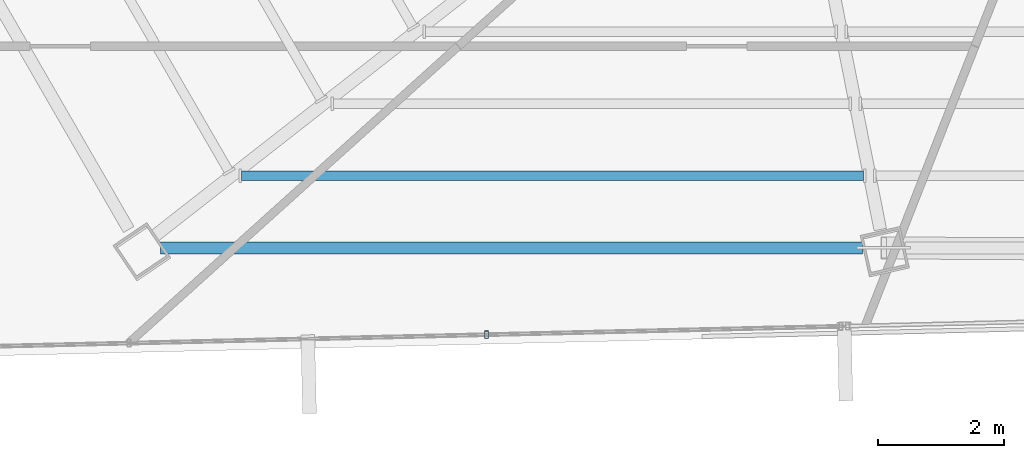
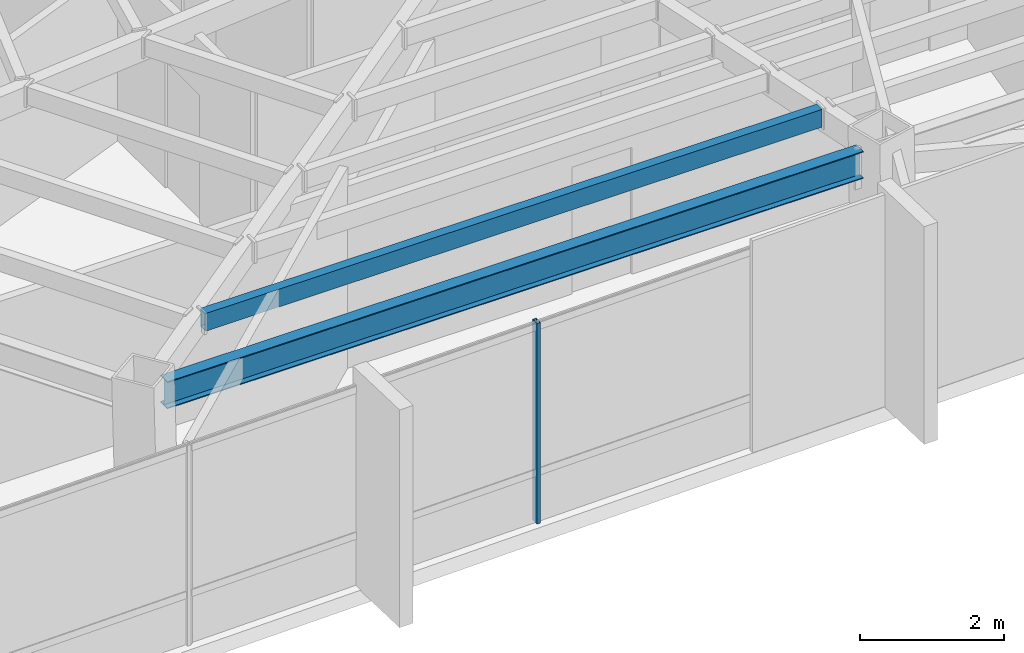
# One storey, part 5 of 47: 2 beams, 1 member, 1 element without a shape of its own.
"""IFC4 building model written with IfcOpenShell, lengths in metres."""

import ifcopenshell
import ifcopenshell.guid

model = None  # the IFC model being written
_history = None  # IfcOwnerHistory: only IFC2X3 demands one
_inside = {}  # id of a spatial element -> (the spatial element, [elements in it])
_under = {}  # id of a project, library or spatial element -> (it, [spatial elements below it])
_declared = {}  # id of a project -> (the project, [libraries it declares])
_typed = {}  # id of a type object -> (the type object, [elements of that type])
_made_of = {}  # id of a material, layer set ... -> (it, [elements and type objects made of it])


def new_model(schema):
    """Start an empty IFC model of exactly this schema.

    Asked for "IFC4X3", IfcOpenShell would pick the latest addendum, in which some entities
    have other attributes; the version numbers below select the first issue.
    IFC2X3 requires an IfcOwnerHistory on every rooted entity: one is made here for all.
    """
    global model, _history
    if schema == "IFC4X3":
        model = ifcopenshell.file(schema_version=(4, 3, 0, 0))
    else:
        model = ifcopenshell.file(schema=schema)
    _inside.clear()
    _under.clear()
    _declared.clear()
    _typed.clear()
    _made_of.clear()
    _history = None
    if model.schema == "IFC2X3":
        org = make("IfcOrganization", Name="unknown")
        user = make(
            "IfcPersonAndOrganization",
            ThePerson=make("IfcPerson", FamilyName="unknown"),
            TheOrganization=org,
        )
        app = make(
            "IfcApplication",
            ApplicationDeveloper=org,
            Version="unknown",
            ApplicationFullName="unknown",
            ApplicationIdentifier="unknown",
        )
        _history = make(
            "IfcOwnerHistory",
            OwningUser=user,
            OwningApplication=app,
            ChangeAction="ADDED",
            CreationDate=0,
        )
    return model


def make(cls, **values):
    """One entity of the class cls with the attributes given. An attribute that is None is left unset."""
    return model.create_entity(
        cls, **{name: value for name, value in values.items() if value is not None}
    )


def rooted(cls, **values):
    """An entity with a GlobalId (a new one), such as an element, a storey or a relation."""
    return make(cls, GlobalId=ifcopenshell.guid.new(), OwnerHistory=_history, **values)


def si_unit(unit_type, name, prefix=None):
    """IfcSIUnit, for example si_unit("LENGTHUNIT", "METRE", prefix="MILLI")."""
    return make("IfcSIUnit", UnitType=unit_type, Prefix=prefix, Name=name)


def assignment(units):
    """IfcUnitAssignment: the units of a project."""
    return None if units is None else make("IfcUnitAssignment", Units=units)


def point(xyz):
    """IfcCartesianPoint."""
    return None if xyz is None else make("IfcCartesianPoint", Coordinates=xyz)


def direction(xyz):
    """IfcDirection."""
    return None if xyz is None else make("IfcDirection", DirectionRatios=xyz)


def frame(location, z_axis=None, x_axis=None):
    """IfcAxis2Placement3D, a coordinate frame: its origin and axes. An axis left out is left unset."""
    return make(
        "IfcAxis2Placement3D",
        Location=point(location),
        Axis=direction(z_axis),
        RefDirection=direction(x_axis),
    )


def frame_2d(location, x_axis=None):
    """IfcAxis2Placement2D, a coordinate frame in the plane: its origin and x axis."""
    return make(
        "IfcAxis2Placement2D", Location=point(location), RefDirection=direction(x_axis)
    )


def origin():
    """The frame at (0, 0, 0) with its axes left unset."""
    return frame((0.0, 0.0, 0.0))


def origin_2d():
    """The frame at (0, 0) in the plane with its x axis left unset."""
    return frame_2d((0.0, 0.0))


def place(relative_to, where):
    """IfcLocalPlacement: puts the frame where relative to a parent placement (None: the world)."""
    return make(
        "IfcLocalPlacement", PlacementRelTo=relative_to, RelativePlacement=where
    )


def context(
    kind, dimensions, precision=None, world=None, true_north=None, identifier=None
):
    """IfcGeometricRepresentationContext, for example the 3D "Model" context."""
    return make(
        "IfcGeometricRepresentationContext",
        ContextIdentifier=identifier,
        ContextType=kind,
        CoordinateSpaceDimension=dimensions,
        Precision=precision,
        WorldCoordinateSystem=world,
        TrueNorth=true_north,
    )


def subcontext(parent, identifier, kind, view, scale=None):
    """IfcGeometricRepresentationSubContext, for example "Body" below "Model"."""
    return make(
        "IfcGeometricRepresentationSubContext",
        ContextIdentifier=identifier,
        ContextType=kind,
        ParentContext=parent,
        TargetScale=scale,
        TargetView=view,
    )


def project(units=None, contexts=None):
    """IfcProject with its units and contexts."""
    return rooted(
        "IfcProject",
        Name="project",
        RepresentationContexts=contexts,
        UnitsInContext=assignment(units),
    )


def spatial(cls, under=None, at=None, **own):
    """A site, building, storey or space (cls), placed at a placement, below another one or the project."""
    s = rooted(cls, ObjectPlacement=at, **own)
    if under is not None:
        _under.setdefault(under.id(), (under, []))[1].append(s)
    return s


def profile(cls, at=None, kind="AREA", **sizes):
    """A parametric profile (cls). Its sizes go by their IFC names, for example OverallWidth=200.0."""
    return make(cls, ProfileType=kind, Position=at, **sizes)


def hollow_rectangle(**sizes):
    """IfcRectangleHollowProfileDef."""
    return profile("IfcRectangleHollowProfileDef", **sizes)


def i_section(**sizes):
    """IfcIShapeProfileDef."""
    return profile("IfcIShapeProfileDef", **sizes)


def extrude(swept, where, along, depth):
    """IfcExtrudedAreaSolid: the profile swept, set in the frame where, extruded along a direction by depth."""
    return make(
        "IfcExtrudedAreaSolid",
        SweptArea=swept,
        Position=where,
        ExtrudedDirection=direction(along),
        Depth=depth,
    )


def shape(context_of_items, identifier, shape_type, items):
    """IfcShapeRepresentation: the items that make up one representation, for example the "Body"."""
    return make(
        "IfcShapeRepresentation",
        ContextOfItems=context_of_items,
        RepresentationIdentifier=identifier,
        RepresentationType=shape_type,
        Items=items,
    )


def source(mapping_origin, context_of_items, identifier, shape_type, items):
    """IfcRepresentationMap: a shape defined once, which mapped items show again and again."""
    return make(
        "IfcRepresentationMap",
        MappingOrigin=mapping_origin,
        MappedRepresentation=shape(context_of_items, identifier, shape_type, items),
    )


def transform(
    local_origin,
    x_axis=None,
    y_axis=None,
    z_axis=None,
    scale=None,
    scale2=None,
    scale3=None,
    uniform=True,
):
    """IfcCartesianTransformationOperator3D, or its non-uniform kind. x_axis, y_axis, z_axis: its Axis1, 2, 3."""
    if uniform:
        return make(
            "IfcCartesianTransformationOperator3D",
            Axis1=direction(x_axis),
            Axis2=direction(y_axis),
            LocalOrigin=point(local_origin),
            Scale=scale,
            Axis3=direction(z_axis),
        )
    return make(
        "IfcCartesianTransformationOperator3DnonUniform",
        Axis1=direction(x_axis),
        Axis2=direction(y_axis),
        LocalOrigin=point(local_origin),
        Scale=scale,
        Axis3=direction(z_axis),
        Scale2=scale2,
        Scale3=scale3,
    )


def mapped(mapping_source, mapping_target):
    """IfcMappedItem: shows the shape of a source again, moved by a transform."""
    return make(
        "IfcMappedItem", MappingSource=mapping_source, MappingTarget=mapping_target
    )


def material(Name=None, Category=None):
    """IfcMaterial."""
    return make("IfcMaterial", Name=Name, Category=Category)


def material_profile(
    of_material, cross_section, Name=None, Category=None, Priority=None
):
    """IfcMaterialProfile: a cross section and its material."""
    return make(
        "IfcMaterialProfile",
        Name=Name,
        Material=of_material,
        Profile=cross_section,
        Priority=Priority,
        Category=Category,
    )


def profile_set(profiles, Name=None, composite=None):
    """IfcMaterialProfileSet."""
    return make(
        "IfcMaterialProfileSet",
        Name=Name,
        MaterialProfiles=profiles,
        CompositeProfile=composite,
    )


def made_of(thing, what):
    """Note that an element or type object is made of a material, layer set ...; save() writes the relation."""
    if what is not None:
        _made_of.setdefault(what.id(), (what, []))[1].append(thing)
    return thing


def type_object(cls, material=None, **own):
    """A type object (cls), such as IfcWallType, which elements share."""
    return made_of(rooted(cls, **own), material)


def type_shapes(of_type, sources):
    """Give a type object the sources (RepresentationMaps) that its elements show as mapped items."""
    of_type.RepresentationMaps = sources


def element(
    cls,
    number,
    at=None,
    inside=None,
    cuts=None,
    type_object=None,
    material=None,
    context=None,
    identifier="Body",
    shape_type=None,
    held_by="IfcProductDefinitionShape",
    body=None,
    shapes=None,
    **own,
):
    """One element of the class cls, such as IfcWall. Its Tag is "e" and its number.

    at: its placement. inside: the storey or other place that contains it. cuts: it is an
    opening in that element (IfcRelVoidsElement). A single representation is given by context,
    identifier, shape_type and body (its items); several are given by shapes. held_by: the class
    of the entity that holds the representations. save() writes the other relations.
    """
    e = rooted(cls, Tag="e%d" % number, ObjectPlacement=at, **own)
    if body is not None:
        shapes = [shape(context, identifier, shape_type, body)]
    if shapes is not None:
        e.Representation = make(held_by, Representations=shapes)
    if inside is not None:
        _inside.setdefault(inside.id(), (inside, []))[1].append(e)
    if cuts is not None:
        rooted(
            "IfcRelVoidsElement", RelatingBuildingElement=cuts, RelatedOpeningElement=e
        )
    if type_object is not None:
        _typed.setdefault(type_object.id(), (type_object, []))[1].append(e)
    return made_of(e, material)


def aggregate(whole, parts):
    """IfcRelAggregates: a whole, such as a stair, and the parts it consists of."""
    return rooted("IfcRelAggregates", RelatingObject=whole, RelatedObjects=parts)


def save(model, path):
    """Write the relations noted so far, then the file.

    IfcRelAggregates (storeys below a building ...), IfcRelContainedInSpatialStructure (elements
    in a storey), IfcRelDefinesByType, IfcRelAssociatesMaterial and IfcRelDeclares: one each for
    every whole, place, type object, material and project.
    """
    for whole, parts in _under.values():
        aggregate(whole, parts)
    for where, things in _inside.values():
        rooted(
            "IfcRelContainedInSpatialStructure",
            RelatedElements=things,
            RelatingStructure=where,
        )
    for kind, things in _typed.values():
        rooted("IfcRelDefinesByType", RelatedObjects=things, RelatingType=kind)
    for what, things in _made_of.values():
        rooted("IfcRelAssociatesMaterial", RelatedObjects=things, RelatingMaterial=what)
    for by, libraries in _declared.values():
        rooted("IfcRelDeclares", RelatingContext=by, RelatedDefinitions=libraries)
    model.write(path)


model = new_model("IFC4")

# Units and contexts
model_context = context("Model", 3, precision=1e-05, world=origin(), true_north=direction((0.0, 1.0)))
body_context = subcontext(model_context, "Body", "Model", "MODEL_VIEW")
ifc_project = project(units=[si_unit("LENGTHUNIT", "METRE"), si_unit("AREAUNIT", "SQUARE_METRE"), si_unit("VOLUMEUNIT", "CUBIC_METRE"), si_unit("PLANEANGLEUNIT", "RADIAN"), si_unit("MASSUNIT", "GRAM", prefix="KILO")], contexts=[model_context])

# Site, building, storey
site_placement = place(None, origin())
site = spatial("IfcSite", under=ifc_project, at=site_placement, CompositionType="ELEMENT")
building_placement = place(site_placement, origin())
building = spatial("IfcBuilding", under=site, at=building_placement, Name="Caelisora Broadcast Tower", CompositionType="ELEMENT")
storey_placement = place(building_placement, frame((0.0, 0.0, 255.39990234375)))
storey = spatial("IfcBuildingStorey", under=building, at=storey_placement, Name="L67", CompositionType="ELEMENT", Elevation=255.39990234375)

# Beams
ifc_material_1 = material(Name="Steel Grade 350 (AS/NZS 3679.1)", Category="steel")
ifc_material_profile_1 = material_profile(ifc_material_1, i_section(OverallWidth=0.19091796875, OverallDepth=0.46044921875, WebThickness=0.010009765625, FlangeThickness=0.01611328125, at=origin_2d()), Name="Steel Grade 350 (AS/NZS 3679.1)")
ifc_profile_set_1 = profile_set([ifc_material_profile_1], Name="Steel Grade 350 (AS/NZS 3679.1)")
beam_type_1 = type_object("IfcBeamType", Name="PG06", PredefinedType="BEAM", material=ifc_profile_set_1)
shared_shape_1 = source(origin(), body_context, "Body", "SweptSolid", [
    extrude(i_section(OverallWidth=0.19091796875, OverallDepth=0.46044921875, WebThickness=0.010009765625, FlangeThickness=0.01611328125, at=origin_2d()), origin(), (0.0, 0.0, 1.0), 11.1572265625),
])
type_shapes(beam_type_1, [shared_shape_1])
beam_1_placement = place(storey_placement, frame((20.58837890625, 9.384521484375, 3.169921875), z_axis=(1.0, 0.0, 0.0), x_axis=(0.0, 1.0, 0.0)))
element("IfcBeam", 1, at=beam_1_placement, inside=storey, type_object=beam_type_1, Name="L67 beam PG06", PredefinedType="BEAM", context=body_context, shape_type="MappedRepresentation", body=[
    mapped(shared_shape_1, transform((0.0, 0.0, 0.0), scale=1.0)),
])
ifc_material_2 = material(Name="Steel Grade 350 (AS/NZS 1163 C350L0)", Category="steel")
ifc_material_profile_2 = material_profile(ifc_material_2, hollow_rectangle(XDim=0.14990234375, YDim=0.300048828125, WallThickness=0.010009765625, at=origin_2d()), Name="Steel Grade 350 (AS/NZS 1163 C350L0)")
ifc_profile_set_2 = profile_set([ifc_material_profile_2], Name="Steel Grade 350 (AS/NZS 1163 C350L0)")
beam_type_2 = type_object("IfcBeamType", Name="SB05", PredefinedType="JOIST", material=ifc_profile_set_2)
shared_shape_2 = source(origin(), body_context, "Body", "SweptSolid", [
    extrude(hollow_rectangle(XDim=0.14990234375, YDim=0.300048828125, WallThickness=0.010009765625, at=origin_2d()), origin(), (0.0, 0.0, 1.0), 9.88427734375),
])
type_shapes(beam_type_2, [shared_shape_2])
beam_2_placement = place(storey_placement, frame((21.8740234375, 10.529541015625, 3.25), z_axis=(1.0, 0.0, 0.0), x_axis=(0.0, 1.0, 0.0)))
element("IfcBeam", 2, at=beam_2_placement, inside=storey, type_object=beam_type_2, Name="L67 beam SB05", PredefinedType="JOIST", context=body_context, shape_type="MappedRepresentation", body=[
    mapped(shared_shape_2, transform((0.0, 0.0, 0.0), scale=1.0)),
])

# Curtain wall, member
ifc_material_3 = material(Name="Unitised Aluminium and Low-E Glass Curtain Wall", Category="glass")
curtain_wall_type = type_object("IfcCurtainWallType", Name="CW-Z5", PredefinedType="NOTDEFINED", material=ifc_material_3)
curtain_wall_placement = place(storey_placement, origin())
curtain_wall = element("IfcCurtainWall", 3, at=curtain_wall_placement, inside=storey, type_object=curtain_wall_type, Name="L67 curtain wall CW-Z5", PredefinedType="NOTDEFINED")
ifc_material_4 = material(Name="Aluminium 6063-T6 Anodised Terracotta Bronze", Category="aluminium")
ifc_material_profile_3 = material_profile(ifc_material_4, hollow_rectangle(XDim=0.06005859375, YDim=0.1201171875, WallThickness=0.0029296875, at=origin_2d()), Name="Aluminium 6063-T6 Anodised Terracotta Bronze")
ifc_profile_set_3 = profile_set([ifc_material_profile_3], Name="Aluminium 6063-T6 Anodised Terracotta Bronze")
member_type = type_object("IfcMemberType", Name="CWM-04", PredefinedType="MULLION", material=ifc_profile_set_3)
shared_shape_3 = source(origin(), body_context, "Body", "SweptSolid", [
    extrude(hollow_rectangle(XDim=0.06005859375, YDim=0.1201171875, WallThickness=0.0029296875, at=origin_2d()), origin(), (0.0, 0.0, 1.0), 3.400146484375),
])
type_shapes(member_type, [shared_shape_3])
member_placement = place(storey_placement, frame((25.766357421875, 8.00537109375, 0.0), z_axis=(0.0, 0.0, 1.0), x_axis=(1.0, 0.0, 0.0)))
member = element("IfcMember", 4, at=member_placement, type_object=member_type, Name="L67-CW-B07 mullion #1", PredefinedType="MULLION", context=body_context, shape_type="MappedRepresentation", body=[
    mapped(shared_shape_3, transform((0.0, 0.0, 0.0), scale=1.0)),
])
aggregate(curtain_wall, [member])

save(model, "model.ifc")
